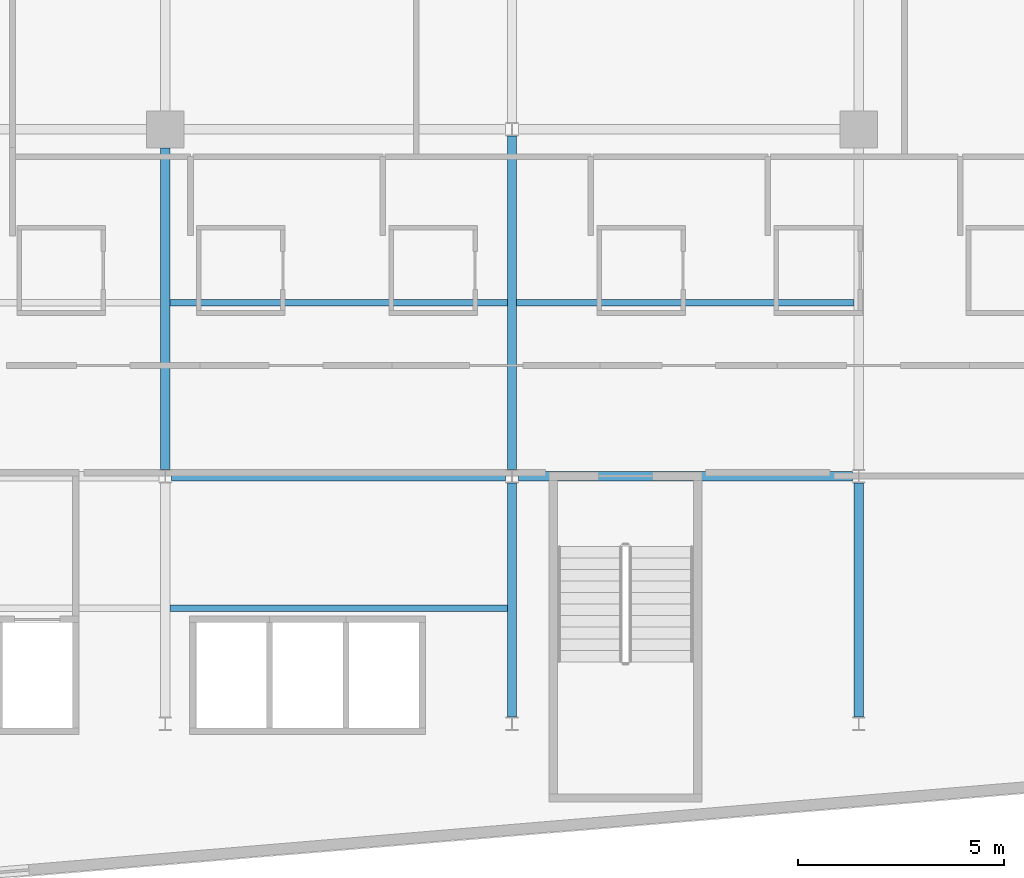
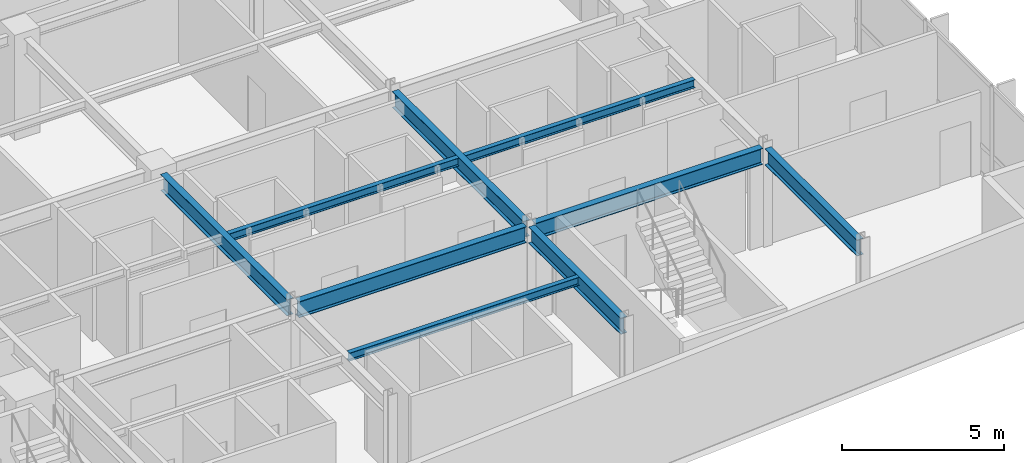
# One storey, part 4 of 19: 9 beams.
"""IFC4 building model written with IfcOpenShell, lengths in metres."""

from ifc_helpers import new_model, si_unit, direction, frame, origin, origin_2d, place, context, subcontext, project, spatial, i_section, extrude, material, material_profile, profile_set, type_object, element, save


model = new_model("IFC4")

# Units and contexts
model_context = context("Model", 3, precision=1e-05, world=origin(), true_north=direction((0.0, 1.0)))
body_context = subcontext(model_context, "Body", "Model", "MODEL_VIEW")
ifc_project = project(units=[si_unit("LENGTHUNIT", "METRE"), si_unit("AREAUNIT", "SQUARE_METRE"), si_unit("VOLUMEUNIT", "CUBIC_METRE"), si_unit("PLANEANGLEUNIT", "RADIAN"), si_unit("MASSUNIT", "GRAM", prefix="KILO")], contexts=[model_context])

# Site, building, storey
site_placement = place(None, origin())
site = spatial("IfcSite", under=ifc_project, at=site_placement, CompositionType="ELEMENT")
building_placement = place(site_placement, origin())
building = spatial("IfcBuilding", under=site, at=building_placement, Name="Varnakote Quay Hospital", CompositionType="ELEMENT")
storey_placement = place(building_placement, frame((0.0, 0.0, 85.699951171875)))
storey = spatial("IfcBuildingStorey", under=building, at=storey_placement, Name="L21", CompositionType="ELEMENT", Elevation=85.699951171875)

# Beams
ifc_material_1 = material(Name="Structural steel AS/NZS 3679.1 Grade 350 L0 (fy 340 MPa)", Category="steel")
ifc_material_profile_1 = material_profile(ifc_material_1, i_section(OverallWidth=0.22900390625, OverallDepth=0.612060546875, WebThickness=0.011962890625, FlangeThickness=0.01953125, FilletRadius=0.013916015625, at=origin_2d()), Name="610UB125")
ifc_profile_set_1 = profile_set([ifc_material_profile_1], Name="Structural steel AS/NZS 3679.1 Grade 350 L0 (fy 340 MPa)")
beam_type_1 = type_object("IfcBeamType", Name="BM-STL-610UB125", PredefinedType="BEAM", material=ifc_profile_set_1)
for number, where, z_axis, x_axis, name in (
    (1, (33.755615234375, 12.0, 3.404052734375), (1.0, 0.0, 0.0), (0.0, 1.0, 0.0), "L21 Primary Floor Beam"),
    (2, (42.155517578125, 12.0, 3.404052734375), (1.0, 0.0, 0.0), (0.0, 1.0, 0.0), "L21 Primary Floor Beam"),
):
    element("IfcBeam", number, at=place(storey_placement, frame(where, z_axis=z_axis, x_axis=x_axis)), inside=storey, type_object=beam_type_1, Name=name, PredefinedType="BEAM", context=body_context, shape_type="SweptSolid", body=[
        extrude(i_section(OverallWidth=0.22900390625, OverallDepth=0.612060546875, WebThickness=0.011962890625, FlangeThickness=0.01953125, FilletRadius=0.013916015625, at=origin_2d()), origin(), (0.0, 0.0, 1.0), 8.0888671875),
    ])
beam_1_placement = place(storey_placement, frame((33.60009765625, 12.16357421875, 3.404052734375), z_axis=(0.0, 1.0, 0.0), x_axis=(-1.0, 0.0, 0.0)))
element("IfcBeam", 3, at=beam_1_placement, inside=storey, type_object=beam_type_1, Name="L21 Primary Tie Beam", PredefinedType="BEAM", context=body_context, shape_type="SweptSolid", body=[
    extrude(i_section(OverallWidth=0.22900390625, OverallDepth=0.612060546875, WebThickness=0.011962890625, FlangeThickness=0.01953125, FilletRadius=0.013916015625, at=origin_2d()), origin(), (0.0, 0.0, 1.0), 7.786376953125),
])
beam_2_placement = place(storey_placement, frame((42.0, 6.16357421875, 3.404052734375), z_axis=(0.0, 1.0, 0.0), x_axis=(-1.0, 0.0, 0.0)))
element("IfcBeam", 4, at=beam_2_placement, inside=storey, type_object=beam_type_1, Name="L21 Primary Tie Beam", PredefinedType="BEAM", context=body_context, shape_type="SweptSolid", body=[
    extrude(i_section(OverallWidth=0.22900390625, OverallDepth=0.612060546875, WebThickness=0.011962890625, FlangeThickness=0.01953125, FilletRadius=0.013916015625, at=origin_2d()), origin(), (0.0, 0.0, 1.0), 5.6728515625),
])
beam_3_placement = place(storey_placement, frame((42.0, 12.16357421875, 3.404052734375), z_axis=(0.0, 1.0, 0.0), x_axis=(-1.0, 0.0, 0.0)))
element("IfcBeam", 5, at=beam_3_placement, inside=storey, type_object=beam_type_1, Name="L21 Primary Tie Beam", PredefinedType="BEAM", context=body_context, shape_type="SweptSolid", body=[
    extrude(i_section(OverallWidth=0.22900390625, OverallDepth=0.612060546875, WebThickness=0.011962890625, FlangeThickness=0.01953125, FilletRadius=0.013916015625, at=origin_2d()), origin(), (0.0, 0.0, 1.0), 8.072998046875),
])
beam_4_placement = place(storey_placement, frame((50.39990234375, 6.16357421875, 3.404052734375), z_axis=(0.0, 1.0, 0.0), x_axis=(-1.0, 0.0, 0.0)))
element("IfcBeam", 6, at=beam_4_placement, inside=storey, type_object=beam_type_1, Name="L21 Primary Tie Beam", PredefinedType="BEAM", context=body_context, shape_type="SweptSolid", body=[
    extrude(i_section(OverallWidth=0.22900390625, OverallDepth=0.612060546875, WebThickness=0.011962890625, FlangeThickness=0.01953125, FilletRadius=0.013916015625, at=origin_2d()), origin(), (0.0, 0.0, 1.0), 5.6728515625),
])
ifc_material_2 = material(Name="Structural steel AS/NZS 3679.1 Grade 350 L0 (fy 340 MPa)", Category="steel")
ifc_material_profile_2 = material_profile(ifc_material_2, i_section(OverallWidth=0.166015625, OverallDepth=0.306884765625, WebThickness=0.006591796875, FlangeThickness=0.01171875, FilletRadius=0.011474609375, at=origin_2d()), Name="310UB46.2")
ifc_profile_set_2 = profile_set([ifc_material_profile_2], Name="Structural steel AS/NZS 3679.1 Grade 350 L0 (fy 340 MPa)")
beam_type_2 = type_object("IfcBeamType", Name="JST-STL-310UB46-2", PredefinedType="JOIST", material=ifc_profile_set_2)
for number, where, z_axis, x_axis, name in (
    (7, (33.714599609375, 8.800048828125, 3.556640625), (1.0, 0.0, 0.0), (0.0, 1.0, 0.0), "L21 Composite Floor Joist"),
    (8, (33.714599609375, 16.199951171875, 3.556640625), (1.0, 0.0, 0.0), (0.0, 1.0, 0.0), "L21 Composite Floor Joist"),
    (9, (42.114501953125, 16.199951171875, 3.556640625), (1.0, 0.0, 0.0), (0.0, 1.0, 0.0), "L21 Composite Floor Joist"),
):
    element("IfcBeam", number, at=place(storey_placement, frame(where, z_axis=z_axis, x_axis=x_axis)), inside=storey, type_object=beam_type_2, Name=name, PredefinedType="JOIST", context=body_context, shape_type="SweptSolid", body=[
        extrude(i_section(OverallWidth=0.166015625, OverallDepth=0.306884765625, WebThickness=0.006591796875, FlangeThickness=0.01171875, FilletRadius=0.011474609375, at=origin_2d()), origin(), (0.0, 0.0, 1.0), 8.1708984375),
    ])

save(model, "model.ifc")
